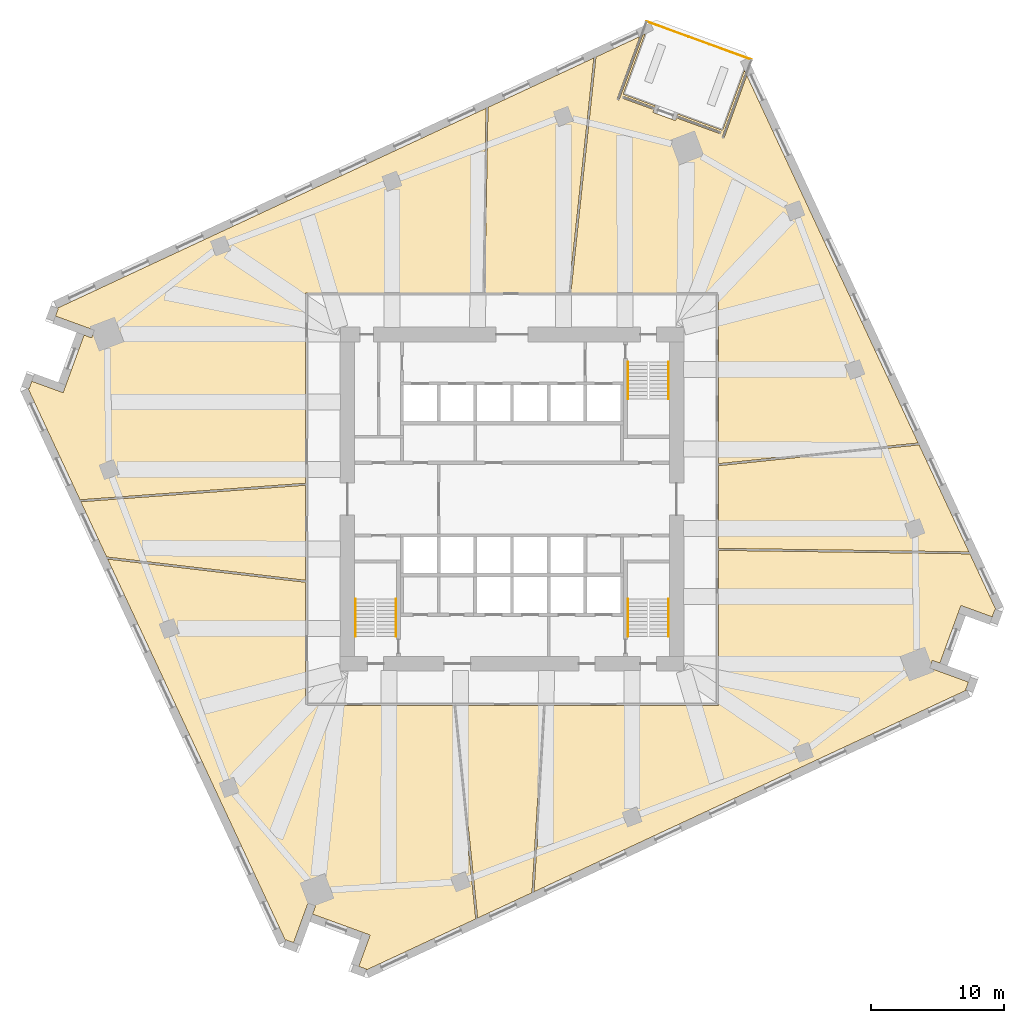
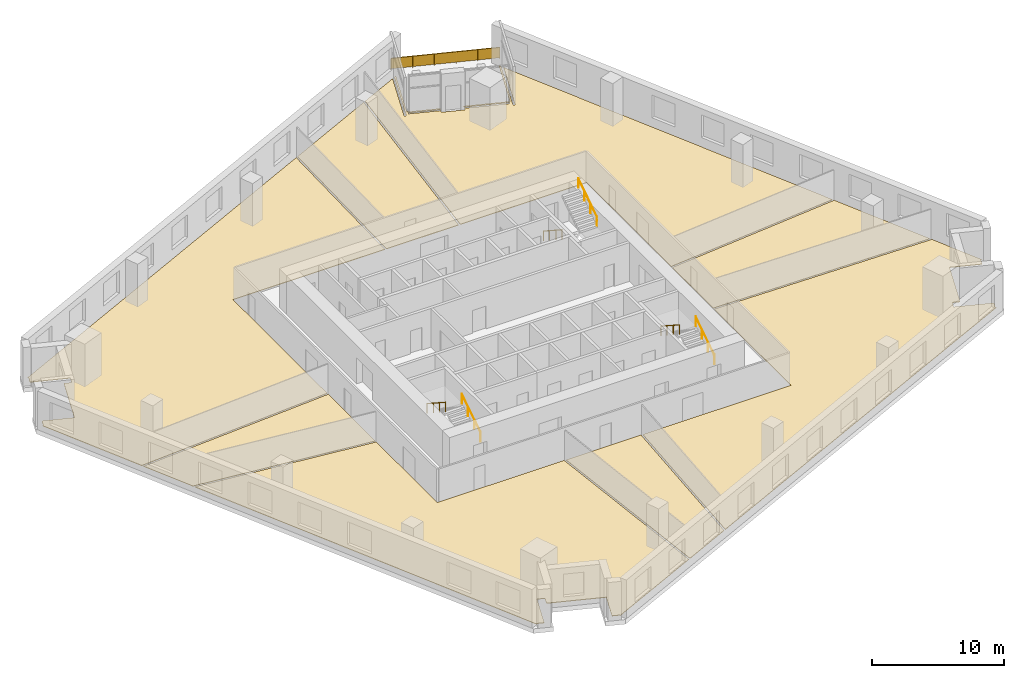
# One storey, part 11 of 12: 8 coverings, 7 railings.
"""IFC4 building model written with IfcOpenShell, lengths in metres."""

from ifc_helpers import new_model, si_unit, direction, frame, origin, origin_2d, place, context, subcontext, project, spatial, polyline, rectangle, circle, outline, extrude, material, layer, layer_set, type_object, element, save


model = new_model("IFC4")

# Units and contexts
model_context = context("Model", 3, precision=1e-05, world=origin(), true_north=direction((0.0, 1.0)))
body_context = subcontext(model_context, "Body", "Model", "MODEL_VIEW")
ifc_project = project(units=[si_unit("LENGTHUNIT", "METRE"), si_unit("AREAUNIT", "SQUARE_METRE"), si_unit("VOLUMEUNIT", "CUBIC_METRE"), si_unit("PLANEANGLEUNIT", "RADIAN"), si_unit("MASSUNIT", "GRAM", prefix="KILO")], contexts=[model_context])

# Site, building, storey
site_placement = place(None, origin())
site = spatial("IfcSite", under=ifc_project, at=site_placement, CompositionType="ELEMENT")
building_placement = place(site_placement, origin())
building = spatial("IfcBuilding", under=site, at=building_placement, Name="Dilmun Exchange Tower", CompositionType="ELEMENT")
storey_placement = place(building_placement, frame((0.0, 0.0, 122.10009765625)))
storey = spatial("IfcBuildingStorey", under=building, at=storey_placement, Name="L28", CompositionType="ELEMENT", Elevation=122.10009765625)

# Coverings
ifc_material_1 = material(Name="Carpet floor finish 50")
ifc_layer_1 = layer(ifc_material_1, 0.050048828125)
ifc_layer_set_1 = layer_set([ifc_layer_1], Name="Carpet floor finish 50")
covering_type_1 = type_object("IfcCoveringType", Name="Carpet floor finish 50", PredefinedType="FLOORING", material=ifc_layer_set_1)
covering_1_placement = place(storey_placement, origin())
element("IfcCovering", 1, at=covering_1_placement, inside=storey, type_object=covering_type_1, Name="Carpet floor finish 50 Meeting room 1", PredefinedType="FLOORING", context=body_context, shape_type="SweptSolid", body=[
    extrude(outline(polyline([(-15.47509765625, 1.041015625), (-15.47509765625, -6.092041015625), (-30.412109375, -4.34228515625), (-32.344970703125, -0.197509765625), (-15.47509765625, 1.041015625)])), origin(), (0.0, 0.0, 1.0), 0.0498046875),
])
covering_2_placement = place(storey_placement, origin())
element("IfcCovering", 2, at=covering_2_placement, inside=storey, type_object=covering_type_1, Name="Carpet floor finish 50 Open office 1", PredefinedType="FLOORING", context=body_context, shape_type="SweptSolid", body=[
    extrude(outline(polyline([(-2.1943359375, 15.47509765625), (-15.47509765625, 15.47509765625), (-15.47509765625, 1.19140625), (-32.412841796875, -0.052001953125), (-36.302001953125, 8.288330078125), (-36.2353515625, 8.26416015625), (-36.235107421875, 8.26416015625), (-36.235107421875, 8.263916015625), (-36.23486328125, 8.263916015625), (-36.234619140625, 8.263916015625), (-36.234375, 8.263916015625), (-36.234130859375, 8.26416015625), (-36.23388671875, 8.26416015625), (-36.23388671875, 8.26416015625), (-36.233642578125, 8.264404296875), (-36.2333984375, 8.264404296875), (-36.2333984375, 8.264404296875), (-36.233154296875, 8.2646484375), (-36.233154296875, 8.264892578125), (-36.23291015625, 8.264892578125), (-36.23291015625, 8.26513671875), (-36.23291015625, 8.265380859375), (-36.0244140625, 8.837890625), (-33.677001953125, 7.9833984375), (-33.677001953125, 7.9833984375), (-33.6767578125, 7.9833984375), (-33.676513671875, 7.9833984375), (-33.67626953125, 7.9833984375), (-33.676025390625, 7.9833984375), (-33.67578125, 7.9833984375), (-33.67578125, 7.9833984375), (-33.675537109375, 7.983642578125), (-33.67529296875, 7.983642578125), (-33.67529296875, 7.98388671875), (-33.675048828125, 7.98388671875), (-33.6748046875, 7.98388671875), (-33.6748046875, 7.984130859375), (-33.6748046875, 7.984375), (-33.674560546875, 7.984619140625), (-33.674560546875, 7.984619140625), (-33.46923828125, 8.548583984375), (-32.10205078125, 12.305419921875), (-31.536865234375, 12.099609375), (-31.53662109375, 12.099609375), (-31.53662109375, 12.099609375), (-31.536376953125, 12.099609375), (-31.5361328125, 12.099609375), (-31.535888671875, 12.099609375), (-31.53564453125, 12.099609375), (-31.535400390625, 12.099609375), (-31.535400390625, 12.099853515625), (-31.53515625, 12.099853515625), (-31.534912109375, 12.10009765625), (-31.534912109375, 12.10009765625), (-31.53466796875, 12.10009765625), (-31.53466796875, 12.100341796875), (-31.534423828125, 12.1005859375), (-31.534423828125, 12.1005859375), (-31.5341796875, 12.100830078125), (-31.3291015625, 12.664794921875), (-31.3291015625, 12.664794921875), (-31.3291015625, 12.6650390625), (-31.3291015625, 12.665283203125), (-31.3291015625, 12.66552734375), (-31.3291015625, 12.665771484375), (-31.3291015625, 12.666015625), (-31.3291015625, 12.666015625), (-31.3291015625, 12.666259765625), (-31.329345703125, 12.66650390625), (-31.329345703125, 12.66650390625), (-31.32958984375, 12.666748046875), (-31.32958984375, 12.6669921875), (-31.329833984375, 12.6669921875), (-31.330078125, 12.6669921875), (-31.330078125, 12.667236328125), (-31.330322265625, 12.667236328125), (-34.24462890625, 13.72802734375), (-34.0361328125, 14.300537109375), (-34.0361328125, 14.30078125), (-34.0361328125, 14.30078125), (-34.0361328125, 14.301025390625), (-34.0361328125, 14.30126953125), (-34.0361328125, 14.301513671875), (-34.0361328125, 14.3017578125), (-34.0361328125, 14.3017578125), (-34.036376953125, 14.302001953125), (-34.036376953125, 14.30224609375), (-34.03662109375, 14.302490234375), (-34.03662109375, 14.302490234375), (-34.03662109375, 14.302734375), (-34.036865234375, 14.302734375), (-34.037109375, 14.302978515625), (-34.037109375, 14.302978515625), (-34.037353515625, 14.302978515625), (-34.10400390625, 14.327392578125), (-1.951171875, 29.320556640625), (-2.1943359375, 15.47509765625)])), origin(), (0.0, 0.0, 1.0), 0.0498046875),
])
covering_3_placement = place(storey_placement, origin())
element("IfcCovering", 3, at=covering_3_placement, inside=storey, type_object=covering_type_1, Name="Carpet floor finish 50 Open office 2", PredefinedType="FLOORING", context=body_context, shape_type="SweptSolid", body=[
    extrude(outline(polyline([(-15.47509765625, -6.2431640625), (-15.47509765625, -15.47509765625), (-4.3623046875, -15.47509765625), (-2.7216796875, -31.49951171875), (-10.9462890625, -35.334716796875), (-10.922119140625, -35.26806640625), (-10.922119140625, -35.267822265625), (-10.921875, -35.267578125), (-10.921875, -35.267578125), (-10.921875, -35.267333984375), (-10.921875, -35.26708984375), (-10.921875, -35.266845703125), (-10.922119140625, -35.2666015625), (-10.922119140625, -35.2666015625), (-10.922119140625, -35.266357421875), (-10.92236328125, -35.26611328125), (-10.92236328125, -35.26611328125), (-10.922607421875, -35.265869140625), (-10.922607421875, -35.265869140625), (-10.9228515625, -35.265625), (-10.923095703125, -35.265625), (-10.923095703125, -35.265380859375), (-11.49560546875, -35.05712890625), (-10.641357421875, -32.709716796875), (-10.641357421875, -32.70947265625), (-10.64111328125, -32.709228515625), (-10.64111328125, -32.708984375), (-10.64111328125, -32.708984375), (-10.64111328125, -32.708740234375), (-10.641357421875, -32.70849609375), (-10.641357421875, -32.708251953125), (-10.641357421875, -32.708251953125), (-10.6416015625, -32.7080078125), (-10.6416015625, -32.707763671875), (-10.6416015625, -32.707763671875), (-10.641845703125, -32.70751953125), (-10.64208984375, -32.70751953125), (-10.64208984375, -32.707275390625), (-10.642333984375, -32.707275390625), (-10.642578125, -32.70703125), (-11.206298828125, -32.501953125), (-11.20654296875, -32.501953125), (-11.206787109375, -32.501708984375), (-11.206787109375, -32.501708984375), (-11.20703125, -32.501708984375), (-14.96337890625, -31.134521484375), (-14.73828125, -30.5166015625), (-14.73828125, -30.516357421875), (-14.73828125, -30.51611328125), (-14.73828125, -30.51611328125), (-14.73828125, -30.515869140625), (-14.73828125, -30.515625), (-14.73828125, -30.515380859375), (-14.73828125, -30.51513671875), (-14.73828125, -30.51513671875), (-14.738525390625, -30.514892578125), (-14.738525390625, -30.5146484375), (-14.73876953125, -30.5146484375), (-14.73876953125, -30.514404296875), (-14.739013671875, -30.514404296875), (-14.7392578125, -30.51416015625), (-14.7392578125, -30.51416015625), (-14.739501953125, -30.513916015625), (-15.30322265625, -30.308837890625), (-15.303466796875, -30.308837890625), (-15.3037109375, -30.30859375), (-15.303955078125, -30.30859375), (-15.30419921875, -30.30859375), (-15.30419921875, -30.30859375), (-15.304443359375, -30.30859375), (-15.3046875, -30.308837890625), (-15.304931640625, -30.308837890625), (-15.304931640625, -30.30908203125), (-15.30517578125, -30.30908203125), (-15.305419921875, -30.30908203125), (-15.305419921875, -30.309326171875), (-15.3056640625, -30.3095703125), (-15.3056640625, -30.309814453125), (-15.305908203125, -30.309814453125), (-15.305908203125, -30.31005859375), (-16.385986328125, -33.277099609375), (-16.95849609375, -33.06884765625), (-16.95849609375, -33.06884765625), (-16.958740234375, -33.068603515625), (-16.958984375, -33.068603515625), (-16.959228515625, -33.068603515625), (-16.95947265625, -33.068603515625), (-16.959716796875, -33.06884765625), (-16.959716796875, -33.06884765625), (-16.9599609375, -33.06884765625), (-16.960205078125, -33.069091796875), (-16.960205078125, -33.069091796875), (-16.96044921875, -33.069091796875), (-16.960693359375, -33.0693359375), (-16.960693359375, -33.069580078125), (-16.960693359375, -33.069580078125), (-16.9609375, -33.06982421875), (-16.9609375, -33.070068359375), (-16.985107421875, -33.13671875), (-30.337646484375, -4.501953125), (-15.47509765625, -6.2431640625)])), origin(), (0.0, 0.0, 1.0), 0.0498046875),
])
covering_4_placement = place(storey_placement, origin())
element("IfcCovering", 4, at=covering_4_placement, inside=storey, type_object=covering_type_1, Name="Carpet floor finish 50 Meeting room 2", PredefinedType="FLOORING", context=body_context, shape_type="SweptSolid", body=[
    extrude(outline(polyline([(-4.21142578125, -15.47509765625), (2.356689453125, -15.47509765625), (1.498291015625, -29.53173828125), (-2.57763671875, -31.432373046875), (-4.21142578125, -15.47509765625)])), origin(), (0.0, 0.0, 1.0), 0.0498046875),
])
covering_5_placement = place(storey_placement, origin())
element("IfcCovering", 5, at=covering_5_placement, inside=storey, type_object=covering_type_1, Name="Carpet floor finish 50 Garden lounge", PredefinedType="FLOORING", context=body_context, shape_type="SweptSolid", body=[
    extrude(outline(polyline([(8.343994140625, 30.3798828125), (10.75146484375, 29.503662109375), (10.70263671875, 29.369384765625), (8.365478515625, 30.219970703125), (8.365234375, 30.219970703125), (8.364990234375, 30.22021484375), (8.364990234375, 30.22021484375), (8.36474609375, 30.22021484375), (8.364501953125, 30.22021484375), (8.3642578125, 30.219970703125), (8.364013671875, 30.219970703125), (8.364013671875, 30.219970703125), (8.36376953125, 30.2197265625), (8.363525390625, 30.2197265625), (8.36328125, 30.219482421875), (8.36328125, 30.219482421875), (8.36328125, 30.21923828125), (8.363037109375, 30.218994140625), (8.363037109375, 30.218994140625), (8.36279296875, 30.21875), (8.30810546875, 30.068359375), (8.30810546875, 30.068115234375), (8.30810546875, 30.068115234375), (8.30810546875, 30.06787109375), (8.30810546875, 30.067626953125), (8.30810546875, 30.0673828125), (8.30810546875, 30.067138671875), (8.30810546875, 30.067138671875), (8.30810546875, 30.06689453125), (8.308349609375, 30.066650390625), (8.308349609375, 30.06640625), (8.30859375, 30.06640625), (8.30859375, 30.066162109375), (8.308837890625, 30.066162109375), (8.30908203125, 30.06591796875), (8.30908203125, 30.06591796875), (8.309326171875, 30.06591796875), (10.646484375, 29.215087890625), (10.572021484375, 29.010498046875), (10.572021484375, 29.01025390625), (10.57177734375, 29.010009765625), (10.57177734375, 29.009765625), (10.57177734375, 29.009521484375), (10.57177734375, 29.009521484375), (10.572021484375, 29.00927734375), (10.572021484375, 29.009033203125), (10.572021484375, 29.0087890625), (10.572021484375, 29.0087890625), (10.572265625, 29.008544921875), (10.572265625, 29.00830078125), (10.572509765625, 29.00830078125), (10.572509765625, 29.008056640625), (10.57275390625, 29.008056640625), (10.572998046875, 29.0078125), (10.572998046875, 29.0078125), (12.264404296875, 28.39208984375), (12.2646484375, 28.39208984375), (12.264892578125, 28.39208984375), (12.26513671875, 28.39208984375), (12.265380859375, 28.39208984375), (12.265380859375, 28.39208984375), (12.265625, 28.39208984375), (12.265869140625, 28.39208984375), (12.26611328125, 28.392333984375), (12.26611328125, 28.392333984375), (12.266357421875, 28.392578125), (12.2666015625, 28.392578125), (12.2666015625, 28.392578125), (12.266845703125, 28.392822265625), (12.266845703125, 28.39306640625), (12.26708984375, 28.393310546875), (12.26708984375, 28.393310546875), (12.341552734375, 28.598388671875), (15.618408203125, 27.405517578125), (15.61865234375, 27.405517578125), (15.618896484375, 27.405517578125), (15.618896484375, 27.405517578125), (15.619140625, 27.405517578125), (15.619384765625, 27.405517578125), (15.61962890625, 27.405517578125), (15.619873046875, 27.405517578125), (15.6201171875, 27.405517578125), (15.6201171875, 27.40576171875), (15.620361328125, 27.40576171875), (15.62060546875, 27.406005859375), (15.62060546875, 27.406005859375), (15.62060546875, 27.40625), (15.620849609375, 27.406494140625), (15.620849609375, 27.406494140625), (15.62109375, 27.40673828125), (15.67578125, 27.55712890625), (15.67578125, 27.557373046875), (15.67578125, 27.5576171875), (15.67578125, 27.5576171875), (15.67578125, 27.557861328125), (15.67578125, 27.55810546875), (15.67578125, 27.558349609375), (15.67578125, 27.558349609375), (15.67578125, 27.55859375), (15.675537109375, 27.558837890625), (15.675537109375, 27.55908203125), (15.67529296875, 27.55908203125), (15.67529296875, 27.55908203125), (15.675048828125, 27.559326171875), (15.6748046875, 27.5595703125), (15.6748046875, 27.5595703125), (15.674560546875, 27.559814453125), (12.397705078125, 28.75244140625), (12.446533203125, 28.88671875), (15.7939453125, 27.66845703125), (17.43408203125, 32.17431640625), (17.519287109375, 31.9912109375), (15.748779296875, 27.126220703125), (15.748779296875, 27.1259765625), (15.74853515625, 27.125732421875), (15.74853515625, 27.12548828125), (15.74853515625, 27.12548828125), (15.74853515625, 27.125244140625), (15.748779296875, 27.125), (15.748779296875, 27.124755859375), (15.748779296875, 27.12451171875), (15.748779296875, 27.12451171875), (15.7490234375, 27.124267578125), (15.7490234375, 27.1240234375), (15.749267578125, 27.1240234375), (15.74951171875, 27.123779296875), (15.74951171875, 27.123779296875), (15.749755859375, 27.123779296875), (15.75, 27.12353515625), (15.900390625, 27.06884765625), (15.900390625, 27.06884765625), (15.900634765625, 27.06884765625), (15.90087890625, 27.068603515625), (15.901123046875, 27.068603515625), (15.9013671875, 27.06884765625), (15.901611328125, 27.06884765625), (15.901611328125, 27.06884765625), (15.90185546875, 27.06884765625), (15.902099609375, 27.069091796875), (15.902099609375, 27.069091796875), (15.90234375, 27.069091796875), (15.902587890625, 27.0693359375), (15.902587890625, 27.069580078125), (15.902587890625, 27.069580078125), (15.90283203125, 27.06982421875), (15.90283203125, 27.070068359375), (17.617431640625, 31.781005859375), (30.473388671875, 4.21142578125), (15.47509765625, 2.656494140625), (15.47509765625, 15.47509765625), (4.414794921875, 15.47509765625), (6.29833984375, 33.167236328125), (9.59033203125, 34.702392578125), (7.875732421875, 29.99169921875), (7.875732421875, 29.991455078125), (7.875732421875, 29.9912109375), (7.875732421875, 29.9912109375), (7.875732421875, 29.990966796875), (7.875732421875, 29.99072265625), (7.875732421875, 29.990478515625), (7.875732421875, 29.990234375), (7.8759765625, 29.989990234375), (7.8759765625, 29.989990234375), (7.876220703125, 29.98974609375), (7.876220703125, 29.989501953125), (7.87646484375, 29.989501953125), (7.87646484375, 29.989501953125), (7.876708984375, 29.9892578125), (7.876953125, 29.9892578125), (7.876953125, 29.989013671875), (8.02734375, 29.934326171875), (8.027587890625, 29.934326171875), (8.02783203125, 29.934326171875), (8.028076171875, 29.93408203125), (8.0283203125, 29.93408203125), (8.0283203125, 29.934326171875), (8.028564453125, 29.934326171875), (8.02880859375, 29.934326171875), (8.02880859375, 29.934326171875), (8.029052734375, 29.9345703125), (8.029296875, 29.9345703125), (8.029296875, 29.934814453125), (8.029541015625, 29.934814453125), (8.02978515625, 29.93505859375), (8.02978515625, 29.935302734375), (8.02978515625, 29.935302734375), (8.030029296875, 29.935546875), (9.800537109375, 34.800537109375), (9.98388671875, 34.885986328125), (8.343994140625, 30.3798828125)])), origin(), (0.0, 0.0, 1.0), 0.0498046875),
])
covering_6_placement = place(storey_placement, origin())
element("IfcCovering", 6, at=covering_6_placement, inside=storey, type_object=covering_type_1, Name="Carpet floor finish 50 Open office 3", PredefinedType="FLOORING", context=body_context, shape_type="SweptSolid", body=[
    extrude(outline(polyline([(2.5068359375, -15.47509765625), (15.47509765625, -15.47509765625), (15.47509765625, -3.84423828125), (34.35302734375, -4.10888671875), (36.302001953125, -8.288330078125), (36.2353515625, -8.26416015625), (36.235107421875, -8.26416015625), (36.235107421875, -8.263916015625), (36.23486328125, -8.263916015625), (36.234619140625, -8.263916015625), (36.234375, -8.263916015625), (36.234130859375, -8.26416015625), (36.23388671875, -8.26416015625), (36.23388671875, -8.26416015625), (36.233642578125, -8.264404296875), (36.2333984375, -8.264404296875), (36.2333984375, -8.264404296875), (36.233154296875, -8.2646484375), (36.233154296875, -8.264892578125), (36.23291015625, -8.264892578125), (36.23291015625, -8.26513671875), (36.23291015625, -8.265380859375), (36.0244140625, -8.837890625), (33.677001953125, -7.9833984375), (33.677001953125, -7.9833984375), (33.6767578125, -7.9833984375), (33.676513671875, -7.9833984375), (33.67626953125, -7.9833984375), (33.676025390625, -7.9833984375), (33.67578125, -7.9833984375), (33.67578125, -7.9833984375), (33.675537109375, -7.983642578125), (33.67529296875, -7.983642578125), (33.67529296875, -7.98388671875), (33.675048828125, -7.98388671875), (33.6748046875, -7.98388671875), (33.6748046875, -7.984130859375), (33.6748046875, -7.984375), (33.674560546875, -7.984619140625), (33.674560546875, -7.984619140625), (33.46923828125, -8.548583984375), (32.10205078125, -12.305419921875), (31.536865234375, -12.099609375), (31.53662109375, -12.099609375), (31.53662109375, -12.099609375), (31.536376953125, -12.099609375), (31.5361328125, -12.099609375), (31.535888671875, -12.099609375), (31.53564453125, -12.099609375), (31.535400390625, -12.099609375), (31.535400390625, -12.099853515625), (31.53515625, -12.099853515625), (31.534912109375, -12.10009765625), (31.534912109375, -12.10009765625), (31.53466796875, -12.10009765625), (31.53466796875, -12.100341796875), (31.534423828125, -12.1005859375), (31.534423828125, -12.1005859375), (31.5341796875, -12.100830078125), (31.3291015625, -12.664794921875), (31.3291015625, -12.664794921875), (31.3291015625, -12.6650390625), (31.3291015625, -12.665283203125), (31.3291015625, -12.66552734375), (31.3291015625, -12.665771484375), (31.3291015625, -12.666015625), (31.3291015625, -12.666015625), (31.3291015625, -12.666259765625), (31.329345703125, -12.66650390625), (31.329345703125, -12.66650390625), (31.32958984375, -12.666748046875), (31.32958984375, -12.6669921875), (31.329833984375, -12.6669921875), (31.330078125, -12.6669921875), (31.330078125, -12.667236328125), (31.330322265625, -12.667236328125), (34.24462890625, -13.72802734375), (34.0361328125, -14.300537109375), (34.0361328125, -14.30078125), (34.0361328125, -14.30078125), (34.0361328125, -14.301025390625), (34.0361328125, -14.30126953125), (34.0361328125, -14.301513671875), (34.0361328125, -14.3017578125), (34.0361328125, -14.3017578125), (34.036376953125, -14.302001953125), (34.036376953125, -14.30224609375), (34.03662109375, -14.302490234375), (34.03662109375, -14.302490234375), (34.03662109375, -14.302734375), (34.036865234375, -14.302734375), (34.037109375, -14.302978515625), (34.037109375, -14.302978515625), (34.037353515625, -14.302978515625), (34.10400390625, -14.327392578125), (1.653076171875, -29.459716796875), (2.5068359375, -15.47509765625)])), origin(), (0.0, 0.0, 1.0), 0.0498046875),
])

# Railings
ifc_material_2 = material(Name="Stainless steel", Category="steel")
railing_type_1 = type_object("IfcRailingType", Name="Stair handrail 900", PredefinedType="HANDRAIL", material=ifc_material_2)
railing_1_placement = place(storey_placement, frame((8.699951171875, 10.300048828125, 0.181640625)))
element("IfcRailing", 7, at=railing_1_placement, inside=storey, type_object=railing_type_1, Name="L28 ST1 stair handrail 1", PredefinedType="HANDRAIL", context=body_context, shape_type="SweptSolid", body=[
    extrude(circle(Radius=0.02392578125, at=origin_2d()), frame((0.0, 0.0, 0.8759765625), z_axis=(0.0, -0.838672427954, 0.544636170843), x_axis=(1.0, 0.0, 0.0)), (0.0, 0.0, 1.0), 3.338623046875),
    extrude(circle(Radius=0.02099609375, at=origin_2d()), origin(), (0.0, 0.0, 1.0), 0.851806640625),
    extrude(circle(Radius=0.02099609375, at=origin_2d()), frame((0.0, -0.933349609375, 0.606201171875)), (0.0, 0.0, 1.0), 0.851806640625),
    extrude(circle(Radius=0.02099609375, at=origin_2d()), frame((0.0, -1.86669921875, 1.212158203125)), (0.0, 0.0, 1.0), 0.851806640625),
    extrude(circle(Radius=0.02099609375, at=origin_2d()), frame((0.0, -2.800048828125, 1.818359375)), (0.0, 0.0, 1.0), 0.851806640625),
])
for number, where, name in (
    (8, (11.75, 7.5, 2.181640625), "L28 ST1 stair handrail 2"),
    (9, (-8.699951171875, -10.300048828125, 0.181640625), "L28 ST2 stair handrail 1"),
):
    element("IfcRailing", number, at=place(storey_placement, frame(where)), inside=storey, type_object=railing_type_1, Name=name, PredefinedType="HANDRAIL", context=body_context, shape_type="SweptSolid", body=[
        extrude(circle(Radius=0.02392578125, at=origin_2d()), frame((0.0, 0.0, 0.8759765625), z_axis=(0.0, 0.838672427954, 0.544636170843), x_axis=(-1.0, 0.0, 0.0)), (0.0, 0.0, 1.0), 3.338623046875),
        extrude(circle(Radius=0.02099609375, at=origin_2d()), origin(), (0.0, 0.0, 1.0), 0.851806640625),
        extrude(circle(Radius=0.02099609375, at=origin_2d()), frame((0.0, 0.933349609375, 0.606201171875)), (0.0, 0.0, 1.0), 0.851806640625),
        extrude(circle(Radius=0.02099609375, at=origin_2d()), frame((0.0, 1.86669921875, 1.212158203125)), (0.0, 0.0, 1.0), 0.851806640625),
        extrude(circle(Radius=0.02099609375, at=origin_2d()), frame((0.0, 2.800048828125, 1.818359375)), (0.0, 0.0, 1.0), 0.851806640625),
    ])
railing_2_placement = place(storey_placement, frame((-11.75, -7.5, 2.181640625)))
element("IfcRailing", 10, at=railing_2_placement, inside=storey, type_object=railing_type_1, Name="L28 ST2 stair handrail 2", PredefinedType="HANDRAIL", context=body_context, shape_type="SweptSolid", body=[
    extrude(circle(Radius=0.02392578125, at=origin_2d()), frame((0.0, 0.0, 0.8759765625), z_axis=(0.0, -0.838672427954, 0.544636170843), x_axis=(1.0, 0.0, 0.0)), (0.0, 0.0, 1.0), 3.338623046875),
    extrude(circle(Radius=0.02099609375, at=origin_2d()), origin(), (0.0, 0.0, 1.0), 0.851806640625),
    extrude(circle(Radius=0.02099609375, at=origin_2d()), frame((0.0, -0.933349609375, 0.606201171875)), (0.0, 0.0, 1.0), 0.851806640625),
    extrude(circle(Radius=0.02099609375, at=origin_2d()), frame((0.0, -1.86669921875, 1.212158203125)), (0.0, 0.0, 1.0), 0.851806640625),
    extrude(circle(Radius=0.02099609375, at=origin_2d()), frame((0.0, -2.800048828125, 1.818359375)), (0.0, 0.0, 1.0), 0.851806640625),
])
railing_3_placement = place(storey_placement, frame((11.75, -10.300048828125, 0.181640625)))
element("IfcRailing", 11, at=railing_3_placement, inside=storey, type_object=railing_type_1, Name="L28 ST3 stair handrail 1", PredefinedType="HANDRAIL", context=body_context, shape_type="SweptSolid", body=[
    extrude(circle(Radius=0.02392578125, at=origin_2d()), frame((0.0, 0.0, 0.8759765625), z_axis=(0.0, 0.838672427954, 0.544636170843), x_axis=(-1.0, 0.0, 0.0)), (0.0, 0.0, 1.0), 3.338623046875),
    extrude(circle(Radius=0.02099609375, at=origin_2d()), origin(), (0.0, 0.0, 1.0), 0.851806640625),
    extrude(circle(Radius=0.02099609375, at=origin_2d()), frame((0.0, 0.933349609375, 0.606201171875)), (0.0, 0.0, 1.0), 0.851806640625),
    extrude(circle(Radius=0.02099609375, at=origin_2d()), frame((0.0, 1.86669921875, 1.212158203125)), (0.0, 0.0, 1.0), 0.851806640625),
    extrude(circle(Radius=0.02099609375, at=origin_2d()), frame((0.0, 2.800048828125, 1.818359375)), (0.0, 0.0, 1.0), 0.851806640625),
])
railing_4_placement = place(storey_placement, frame((8.699951171875, -7.5, 2.181640625)))
element("IfcRailing", 12, at=railing_4_placement, inside=storey, type_object=railing_type_1, Name="L28 ST3 stair handrail 2", PredefinedType="HANDRAIL", context=body_context, shape_type="SweptSolid", body=[
    extrude(circle(Radius=0.02392578125, at=origin_2d()), frame((0.0, 0.0, 0.8759765625), z_axis=(0.0, -0.838672427954, 0.544636170843), x_axis=(1.0, 0.0, 0.0)), (0.0, 0.0, 1.0), 3.338623046875),
    extrude(circle(Radius=0.02099609375, at=origin_2d()), origin(), (0.0, 0.0, 1.0), 0.851806640625),
    extrude(circle(Radius=0.02099609375, at=origin_2d()), frame((0.0, -0.933349609375, 0.606201171875)), (0.0, 0.0, 1.0), 0.851806640625),
    extrude(circle(Radius=0.02099609375, at=origin_2d()), frame((0.0, -1.86669921875, 1.212158203125)), (0.0, 0.0, 1.0), 0.851806640625),
    extrude(circle(Radius=0.02099609375, at=origin_2d()), frame((0.0, -2.800048828125, 1.818359375)), (0.0, 0.0, 1.0), 0.851806640625),
])

# Coverings
ifc_material_3 = material(Name="Stone floor finish 50", Category="masonry")
ifc_layer_2 = layer(ifc_material_3, 0.050048828125)
ifc_layer_set_2 = layer_set([ifc_layer_2], Name="Stone floor finish 50")
covering_type_2 = type_object("IfcCoveringType", Name="Stone floor finish 50", PredefinedType="FLOORING", material=ifc_layer_set_2)
covering_7_placement = place(storey_placement, origin())
element("IfcCovering", 13, at=covering_7_placement, inside=storey, type_object=covering_type_2, Name="Stone floor finish 50 Reception 1", PredefinedType="FLOORING", context=body_context, shape_type="SweptSolid", body=[
    extrude(outline(polyline([(4.263916015625, 15.47509765625), (-2.04443359375, 15.47509765625), (-1.800048828125, 29.39111328125), (6.1396484375, 33.09326171875), (4.263916015625, 15.47509765625)])), origin(), (0.0, 0.0, 1.0), 0.0498046875),
])
covering_8_placement = place(storey_placement, origin())
element("IfcCovering", 14, at=covering_8_placement, inside=storey, type_object=covering_type_2, Name="Stone floor finish 50 Reception 2", PredefinedType="FLOORING", context=body_context, shape_type="SweptSolid", body=[
    extrude(outline(polyline([(15.47509765625, -3.6943359375), (15.47509765625, 2.505615234375), (30.540283203125, 4.0673828125), (34.28271484375, -3.9580078125), (15.47509765625, -3.6943359375)])), origin(), (0.0, 0.0, 1.0), 0.0498046875),
])

# Railing
railing_type_2 = type_object("IfcRailingType", Name="Terrace guard 1100 stainless steel", PredefinedType="GUARDRAIL", material=ifc_material_2)
railing_5_placement = place(storey_placement, frame((10.08935546875, 35.83349609375, 0.0)))
element("IfcRailing", 15, at=railing_5_placement, inside=storey, type_object=railing_type_2, Name="Terrace guard 1", PredefinedType="GUARDRAIL", context=body_context, shape_type="SweptSolid", body=[
    extrude(circle(Radius=0.02392578125, at=origin_2d()), frame((0.0, 0.0, 1.076171875), z_axis=(0.939692135128, -0.342021477657, 0.0), x_axis=(0.342021477657, 0.939692135128, 0.0)), (0.0, 0.0, 1.0), 8.378173828125),
    extrude(rectangle(XDim=0.011962890625, YDim=0.951904296875, at=origin_2d()), frame((0.0, 0.0, 0.576171875), z_axis=(0.939692135128, -0.342021477657, 0.0), x_axis=(0.342021477657, 0.939692135128, 0.0)), (0.0, 0.0, 1.0), 8.378173828125),
    extrude(circle(Radius=0.02099609375, at=origin_2d()), origin(), (0.0, 0.0, 1.0), 1.052001953125),
    extrude(circle(Radius=0.02099609375, at=origin_2d()), frame((1.574462890625, -0.572998046875, 0.0)), (0.0, 0.0, 1.0), 1.052001953125),
    extrude(circle(Radius=0.02099609375, at=origin_2d()), frame((3.149169921875, -1.146240234375, 0.0)), (0.0, 0.0, 1.0), 1.052001953125),
    extrude(circle(Radius=0.02099609375, at=origin_2d()), frame((4.7236328125, -1.71923828125, 0.0)), (0.0, 0.0, 1.0), 1.052001953125),
    extrude(circle(Radius=0.02099609375, at=origin_2d()), frame((6.29833984375, -2.29248046875, 0.0)), (0.0, 0.0, 1.0), 1.052001953125),
    extrude(circle(Radius=0.02099609375, at=origin_2d()), frame((7.872802734375, -2.865478515625, 0.0)), (0.0, 0.0, 1.0), 1.052001953125),
])

save(model, "model.ifc")
